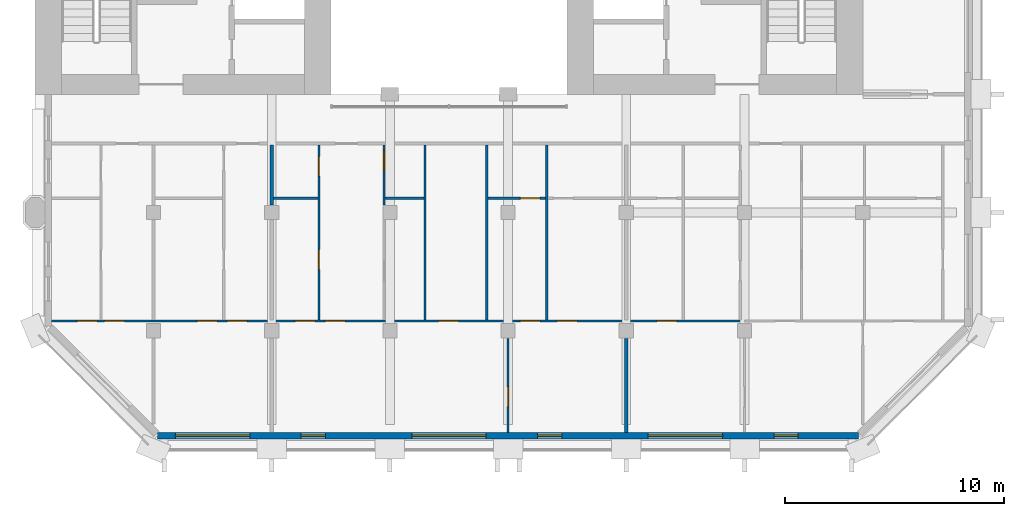
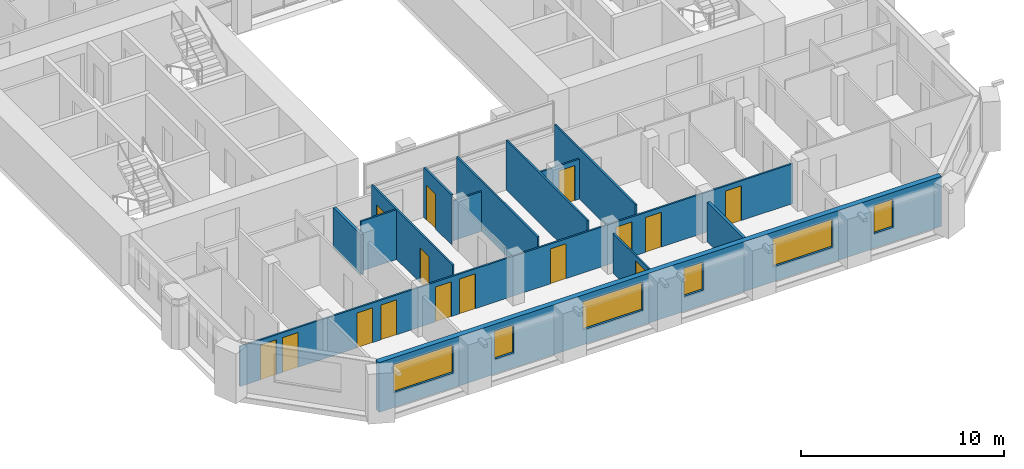
# One storey, part 6 of 14: 15 doors, 13 walls, 6 windows, 21 openings.
"""IFC4 building model written with IfcOpenShell, lengths in metres."""

from ifc_helpers import new_model, si_unit, direction, frame, frame_2d, origin, place, context, subcontext, project, spatial, rectangle, extrude, material, layer, layer_set, type_object, element, fill, save


model = new_model("IFC4")

# Units and contexts
model_context = context("Model", 3, precision=1e-05, world=origin(), true_north=direction((0.0, 1.0)))
body_context = subcontext(model_context, "Body", "Model", "MODEL_VIEW")
ifc_project = project(units=[si_unit("LENGTHUNIT", "METRE"), si_unit("AREAUNIT", "SQUARE_METRE"), si_unit("VOLUMEUNIT", "CUBIC_METRE"), si_unit("PLANEANGLEUNIT", "RADIAN"), si_unit("MASSUNIT", "GRAM", prefix="KILO")], contexts=[model_context])

# Site, building, storey
site_placement = place(None, origin())
site = spatial("IfcSite", under=ifc_project, at=site_placement, CompositionType="ELEMENT")
building_placement = place(site_placement, origin())
building = spatial("IfcBuilding", under=site, at=building_placement, Name="Tabaq Tower and Sports Hall", CompositionType="ELEMENT")
storey_placement = place(building_placement, frame((0.0, 0.0, 285.10009765625)))
storey = spatial("IfcBuildingStorey", under=building, at=storey_placement, Name="L70", CompositionType="ELEMENT", Elevation=285.10009765625)

# Wall, openings, doors
ifc_material_1 = material(Name="Gypsum board on steel studs", Category="steel")
ifc_layer_1 = layer(ifc_material_1, 0.10009765625)
ifc_layer_set_1 = layer_set([ifc_layer_1], Name="Partition 100 Gypsum board")
wall_type_1 = type_object("IfcWallType", Name="Partition 100 Gypsum board", PredefinedType="PARTITIONING", material=ifc_layer_set_1)
wall_1_placement = place(storey_placement, frame((37.652099609375, 5.85009765625, 0.0), z_axis=(0.0, 0.0, 1.0), x_axis=(-1.0, 0.0, 0.0)))
wall_1 = element("IfcWall", 1, at=wall_1_placement, inside=storey, type_object=wall_type_1, Name="Partition wall L70", PredefinedType="PARTITIONING", context=body_context, shape_type="SweptSolid", body=[
    extrude(rectangle(XDim=31.501220703125, YDim=0.10009765625, at=frame_2d((15.75048828125, 0.0))), origin(), (0.0, 0.0, 1.0), 2.39990234375),
])
opening_1_placement = place(wall_1_placement, frame((12.923095703125, 0.0, 0.0)))
opening_1 = element("IfcOpeningElement", 2, at=opening_1_placement, cuts=wall_1, Name="Opening L70-015", PredefinedType="OPENING", context=body_context, shape_type="SweptSolid", body=[
    extrude(rectangle(XDim=0.89990234375, YDim=2.10009765625, at=frame_2d((0.449951171875, 1.050048828125))), frame((0.0, 0.050048828125, 0.0), z_axis=(0.0, -1.0, 0.0), x_axis=(1.0, 0.0, 0.0)), (0.0, 0.0, 1.0), 0.10009765625),
])
opening_2_placement = place(wall_1_placement, frame((29.422119140625, 0.0, 0.0)))
opening_2 = element("IfcOpeningElement", 3, at=opening_2_placement, cuts=wall_1, Name="Opening L70-034", PredefinedType="OPENING", context=body_context, shape_type="SweptSolid", body=[
    extrude(rectangle(XDim=0.89990234375, YDim=2.10009765625, at=frame_2d((0.449951171875, 1.050048828125))), frame((0.0, 0.050048828125, 0.0), z_axis=(0.0, -1.0, 0.0), x_axis=(1.0, 0.0, 0.0)), (0.0, 0.0, 1.0), 0.10009765625),
])
opening_3_placement = place(wall_1_placement, frame((28.181884765625, 0.0, 0.0)))
opening_3 = element("IfcOpeningElement", 4, at=opening_3_placement, cuts=wall_1, Name="Opening L70-035", PredefinedType="OPENING", context=body_context, shape_type="SweptSolid", body=[
    extrude(rectangle(XDim=0.89990234375, YDim=2.10009765625, at=frame_2d((0.449951171875, 1.050048828125))), frame((0.0, 0.050048828125, 0.0), z_axis=(0.0, -1.0, 0.0), x_axis=(1.0, 0.0, 0.0)), (0.0, 0.0, 1.0), 0.10009765625),
])
opening_4_placement = place(wall_1_placement, frame((23.94189453125, 0.0, 0.0)))
opening_4 = element("IfcOpeningElement", 5, at=opening_4_placement, cuts=wall_1, Name="Opening L70-037", PredefinedType="OPENING", context=body_context, shape_type="SweptSolid", body=[
    extrude(rectangle(XDim=0.89990234375, YDim=2.10009765625, at=frame_2d((0.449951171875, 1.050048828125))), frame((0.0, 0.050048828125, 0.0), z_axis=(0.0, -1.0, 0.0), x_axis=(1.0, 0.0, 0.0)), (0.0, 0.0, 1.0), 0.10009765625),
])
opening_5_placement = place(wall_1_placement, frame((22.572021484375, 0.0, 0.0)))
opening_5 = element("IfcOpeningElement", 6, at=opening_5_placement, cuts=wall_1, Name="Opening L70-038", PredefinedType="OPENING", context=body_context, shape_type="SweptSolid", body=[
    extrude(rectangle(XDim=0.89990234375, YDim=2.10009765625, at=frame_2d((0.449951171875, 1.050048828125))), frame((0.0, 0.050048828125, 0.0), z_axis=(0.0, -1.0, 0.0), x_axis=(1.0, 0.0, 0.0)), (0.0, 0.0, 1.0), 0.10009765625),
])
opening_6_placement = place(wall_1_placement, frame((19.466064453125, 0.0, 0.0)))
opening_6 = element("IfcOpeningElement", 7, at=opening_6_placement, cuts=wall_1, Name="Opening L70-040", PredefinedType="OPENING", context=body_context, shape_type="SweptSolid", body=[
    extrude(rectangle(XDim=0.89990234375, YDim=2.10009765625, at=frame_2d((0.449951171875, 1.050048828125))), frame((0.0, 0.050048828125, 0.0), z_axis=(0.0, -1.0, 0.0), x_axis=(1.0, 0.0, 0.0)), (0.0, 0.0, 1.0), 0.10009765625),
])
opening_7_placement = place(wall_1_placement, frame((9.18994140625, 0.0, 0.0)))
opening_7 = element("IfcOpeningElement", 8, at=opening_7_placement, cuts=wall_1, Name="Opening L70-041", PredefinedType="OPENING", context=body_context, shape_type="SweptSolid", body=[
    extrude(rectangle(XDim=0.89990234375, YDim=2.10009765625, at=frame_2d((0.449951171875, 1.050048828125))), frame((0.0, 0.050048828125, 0.0), z_axis=(0.0, -1.0, 0.0), x_axis=(1.0, 0.0, 0.0)), (0.0, 0.0, 1.0), 0.10009765625),
])
opening_8_placement = place(wall_1_placement, frame((7.511962890625, 0.0, 0.0)))
opening_8 = element("IfcOpeningElement", 9, at=opening_8_placement, cuts=wall_1, Name="Opening L70-042", PredefinedType="OPENING", context=body_context, shape_type="SweptSolid", body=[
    extrude(rectangle(XDim=0.89990234375, YDim=2.10009765625, at=frame_2d((0.449951171875, 1.050048828125))), frame((0.0, 0.050048828125, 0.0), z_axis=(0.0, -1.0, 0.0), x_axis=(1.0, 0.0, 0.0)), (0.0, 0.0, 1.0), 0.10009765625),
])
opening_9_placement = place(wall_1_placement, frame((2.951904296875, 0.0, 0.0)))
opening_9 = element("IfcOpeningElement", 10, at=opening_9_placement, cuts=wall_1, Name="Opening L70-045", PredefinedType="OPENING", context=body_context, shape_type="SweptSolid", body=[
    extrude(rectangle(XDim=0.89990234375, YDim=2.10009765625, at=frame_2d((0.449951171875, 1.050048828125))), frame((0.0, 0.050048828125, 0.0), z_axis=(0.0, -1.0, 0.0), x_axis=(1.0, 0.0, 0.0)), (0.0, 0.0, 1.0), 0.10009765625),
])
opening_10_placement = place(wall_1_placement, frame((18.095947265625, 0.0, 0.0)))
opening_10 = element("IfcOpeningElement", 11, at=opening_10_placement, cuts=wall_1, Name="Opening L70-060", PredefinedType="OPENING", context=body_context, shape_type="SweptSolid", body=[
    extrude(rectangle(XDim=0.89990234375, YDim=2.10009765625, at=frame_2d((0.449951171875, 1.050048828125))), frame((0.0, 0.050048828125, 0.0), z_axis=(0.0, -1.0, 0.0), x_axis=(1.0, 0.0, 0.0)), (0.0, 0.0, 1.0), 0.10009765625),
])
ifc_material_2 = material(Name="Timber leaf in steel frame", Category="steel")
door_type_1 = type_object("IfcDoorType", Name="Internal door 900 left hand", OperationType="SINGLE_SWING_LEFT", PredefinedType="DOOR", material=ifc_material_2)
door_1_placement = place(opening_2_placement, origin())
door_1 = element("IfcDoor", 12, at=door_1_placement, inside=storey, type_object=door_type_1, Name="Internal door L70-034", OperationType="SINGLE_SWING_LEFT", OverallHeight=2.10009765625, OverallWidth=0.89990234375, PredefinedType="DOOR", context=body_context, shape_type="SweptSolid", body=[
    extrude(rectangle(XDim=0.89990234375, YDim=2.10009765625, at=frame_2d((0.449951171875, 1.050048828125))), frame((0.0, 0.02490234375, 0.0), z_axis=(0.0, -1.0, 0.0), x_axis=(1.0, 0.0, 0.0)), (0.0, 0.0, 1.0), 0.050048828125),
])
fill(opening_2, door_1)
door_2_placement = place(opening_4_placement, origin())
door_2 = element("IfcDoor", 13, at=door_2_placement, inside=storey, type_object=door_type_1, Name="Internal door L70-037", OperationType="SINGLE_SWING_LEFT", OverallHeight=2.10009765625, OverallWidth=0.89990234375, PredefinedType="DOOR", context=body_context, shape_type="SweptSolid", body=[
    extrude(rectangle(XDim=0.89990234375, YDim=2.10009765625, at=frame_2d((0.449951171875, 1.050048828125))), frame((0.0, 0.02490234375, 0.0), z_axis=(0.0, -1.0, 0.0), x_axis=(1.0, 0.0, 0.0)), (0.0, 0.0, 1.0), 0.050048828125),
])
fill(opening_4, door_2)
door_3_placement = place(opening_6_placement, origin())
door_3 = element("IfcDoor", 14, at=door_3_placement, inside=storey, type_object=door_type_1, Name="Internal door L70-040", OperationType="SINGLE_SWING_LEFT", OverallHeight=2.10009765625, OverallWidth=0.89990234375, PredefinedType="DOOR", context=body_context, shape_type="SweptSolid", body=[
    extrude(rectangle(XDim=0.89990234375, YDim=2.10009765625, at=frame_2d((0.449951171875, 1.050048828125))), frame((0.0, 0.02490234375, 0.0), z_axis=(0.0, -1.0, 0.0), x_axis=(1.0, 0.0, 0.0)), (0.0, 0.0, 1.0), 0.050048828125),
])
fill(opening_6, door_3)
door_4_placement = place(opening_7_placement, origin())
door_4 = element("IfcDoor", 15, at=door_4_placement, inside=storey, type_object=door_type_1, Name="Internal door L70-041", OperationType="SINGLE_SWING_LEFT", OverallHeight=2.10009765625, OverallWidth=0.89990234375, PredefinedType="DOOR", context=body_context, shape_type="SweptSolid", body=[
    extrude(rectangle(XDim=0.89990234375, YDim=2.10009765625, at=frame_2d((0.449951171875, 1.050048828125))), frame((0.0, 0.02490234375, 0.0), z_axis=(0.0, -1.0, 0.0), x_axis=(1.0, 0.0, 0.0)), (0.0, 0.0, 1.0), 0.050048828125),
])
fill(opening_7, door_4)
ifc_material_3 = material(Name="Timber leaf in steel frame", Category="steel")
door_type_2 = type_object("IfcDoorType", Name="Internal door 900 right hand", OperationType="SINGLE_SWING_RIGHT", PredefinedType="DOOR", material=ifc_material_3)
door_5_placement = place(opening_1_placement, origin())
door_5 = element("IfcDoor", 16, at=door_5_placement, inside=storey, type_object=door_type_2, Name="Internal door L70-015", OperationType="SINGLE_SWING_RIGHT", OverallHeight=2.10009765625, OverallWidth=0.89990234375, PredefinedType="DOOR", context=body_context, shape_type="SweptSolid", body=[
    extrude(rectangle(XDim=0.89990234375, YDim=2.10009765625, at=frame_2d((0.449951171875, 1.050048828125))), frame((0.0, 0.02490234375, 0.0), z_axis=(0.0, -1.0, 0.0), x_axis=(1.0, 0.0, 0.0)), (0.0, 0.0, 1.0), 0.050048828125),
])
fill(opening_1, door_5)
door_6_placement = place(opening_3_placement, origin())
door_6 = element("IfcDoor", 17, at=door_6_placement, inside=storey, type_object=door_type_2, Name="Internal door L70-035", OperationType="SINGLE_SWING_RIGHT", OverallHeight=2.10009765625, OverallWidth=0.89990234375, PredefinedType="DOOR", context=body_context, shape_type="SweptSolid", body=[
    extrude(rectangle(XDim=0.89990234375, YDim=2.10009765625, at=frame_2d((0.449951171875, 1.050048828125))), frame((0.0, 0.02490234375, 0.0), z_axis=(0.0, -1.0, 0.0), x_axis=(1.0, 0.0, 0.0)), (0.0, 0.0, 1.0), 0.050048828125),
])
fill(opening_3, door_6)
door_7_placement = place(opening_5_placement, origin())
door_7 = element("IfcDoor", 18, at=door_7_placement, inside=storey, type_object=door_type_2, Name="Internal door L70-038", OperationType="SINGLE_SWING_RIGHT", OverallHeight=2.10009765625, OverallWidth=0.89990234375, PredefinedType="DOOR", context=body_context, shape_type="SweptSolid", body=[
    extrude(rectangle(XDim=0.89990234375, YDim=2.10009765625, at=frame_2d((0.449951171875, 1.050048828125))), frame((0.0, 0.02490234375, 0.0), z_axis=(0.0, -1.0, 0.0), x_axis=(1.0, 0.0, 0.0)), (0.0, 0.0, 1.0), 0.050048828125),
])
fill(opening_5, door_7)
door_8_placement = place(opening_8_placement, origin())
door_8 = element("IfcDoor", 19, at=door_8_placement, inside=storey, type_object=door_type_2, Name="Internal door L70-042", OperationType="SINGLE_SWING_RIGHT", OverallHeight=2.10009765625, OverallWidth=0.89990234375, PredefinedType="DOOR", context=body_context, shape_type="SweptSolid", body=[
    extrude(rectangle(XDim=0.89990234375, YDim=2.10009765625, at=frame_2d((0.449951171875, 1.050048828125))), frame((0.0, 0.02490234375, 0.0), z_axis=(0.0, -1.0, 0.0), x_axis=(1.0, 0.0, 0.0)), (0.0, 0.0, 1.0), 0.050048828125),
])
fill(opening_8, door_8)
door_9_placement = place(opening_9_placement, origin())
door_9 = element("IfcDoor", 20, at=door_9_placement, inside=storey, type_object=door_type_2, Name="Internal door L70-045", OperationType="SINGLE_SWING_RIGHT", OverallHeight=2.10009765625, OverallWidth=0.89990234375, PredefinedType="DOOR", context=body_context, shape_type="SweptSolid", body=[
    extrude(rectangle(XDim=0.89990234375, YDim=2.10009765625, at=frame_2d((0.449951171875, 1.050048828125))), frame((0.0, 0.02490234375, 0.0), z_axis=(0.0, -1.0, 0.0), x_axis=(1.0, 0.0, 0.0)), (0.0, 0.0, 1.0), 0.050048828125),
])
fill(opening_9, door_9)
door_10_placement = place(opening_10_placement, origin())
door_10 = element("IfcDoor", 21, at=door_10_placement, inside=storey, type_object=door_type_2, Name="Internal door L70-060", OperationType="SINGLE_SWING_RIGHT", OverallHeight=2.10009765625, OverallWidth=0.89990234375, PredefinedType="DOOR", context=body_context, shape_type="SweptSolid", body=[
    extrude(rectangle(XDim=0.89990234375, YDim=2.10009765625, at=frame_2d((0.449951171875, 1.050048828125))), frame((0.0, 0.02490234375, 0.0), z_axis=(0.0, -1.0, 0.0), x_axis=(1.0, 0.0, 0.0)), (0.0, 0.0, 1.0), 0.050048828125),
])
fill(opening_10, door_10)

# Wall, opening, door
wall_2_placement = place(storey_placement, frame((27.0, 0.7509765625, 0.0), z_axis=(0.0, 0.0, 1.0), x_axis=(0.0, 1.0, 0.0)))
wall_2 = element("IfcWall", 22, at=wall_2_placement, inside=storey, type_object=wall_type_1, Name="Partition wall L70", PredefinedType="PARTITIONING", context=body_context, shape_type="SweptSolid", body=[
    extrude(rectangle(XDim=4.303955078125, YDim=0.10009765625, at=frame_2d((2.15185546875, 0.0))), origin(), (0.0, 0.0, 1.0), 2.39990234375),
])
opening_11_placement = place(wall_2_placement, frame((1.179931640625, 0.0, 0.0)))
opening_11 = element("IfcOpeningElement", 23, at=opening_11_placement, cuts=wall_2, Name="Opening L70-051", PredefinedType="OPENING", context=body_context, shape_type="SweptSolid", body=[
    extrude(rectangle(XDim=0.89990234375, YDim=2.10009765625, at=frame_2d((0.449951171875, 1.050048828125))), frame((0.0, 0.050048828125, 0.0), z_axis=(0.0, -1.0, 0.0), x_axis=(1.0, 0.0, 0.0)), (0.0, 0.0, 1.0), 0.10009765625),
])
door_11_placement = place(opening_11_placement, origin())
door_11 = element("IfcDoor", 24, at=door_11_placement, inside=storey, type_object=door_type_2, Name="Internal door L70-051", OperationType="SINGLE_SWING_RIGHT", OverallHeight=2.10009765625, OverallWidth=0.89990234375, PredefinedType="DOOR", context=body_context, shape_type="SweptSolid", body=[
    extrude(rectangle(XDim=0.89990234375, YDim=2.10009765625, at=frame_2d((0.449951171875, 1.050048828125))), frame((0.0, 0.02490234375, 0.0), z_axis=(0.0, -1.0, 0.0), x_axis=(1.0, 0.0, 0.0)), (0.0, 0.0, 1.0), 0.050048828125),
])
fill(opening_11, door_11)

# Wall
wall_3_placement = place(storey_placement, frame((18.305908203125, 11.449951171875, 0.0), z_axis=(0.0, 0.0, 1.0), x_axis=(-1.0, 0.0, 0.0)))
element("IfcWall", 25, at=wall_3_placement, inside=storey, type_object=wall_type_1, Name="Partition wall L70", PredefinedType="PARTITIONING", context=body_context, shape_type="SweptSolid", body=[
    extrude(rectangle(XDim=2.031005859375, YDim=0.10009765625, at=frame_2d((1.015625, 0.0))), origin(), (0.0, 0.0, 1.0), 3.0),
])

# Wall, openings, doors
wall_4_placement = place(storey_placement, frame((18.35595703125, 5.89990234375, 0.0), z_axis=(0.0, 0.0, 1.0), x_axis=(0.0, 1.0, 0.0)))
wall_4 = element("IfcWall", 26, at=wall_4_placement, inside=storey, type_object=wall_type_1, Name="Partition wall L70", PredefinedType="PARTITIONING", context=body_context, shape_type="SweptSolid", body=[
    extrude(rectangle(XDim=7.97509765625, YDim=0.10009765625, at=frame_2d((3.987548828125, 0.0))), origin(), (0.0, 0.0, 1.0), 3.0),
])
opening_12_placement = place(wall_4_placement, frame((6.55810546875, 0.0, 0.0)))
opening_12 = element("IfcOpeningElement", 27, at=opening_12_placement, cuts=wall_4, Name="Opening L70-016", PredefinedType="OPENING", context=body_context, shape_type="SweptSolid", body=[
    extrude(rectangle(XDim=0.89990234375, YDim=2.10009765625, at=frame_2d((0.449951171875, 1.050048828125))), frame((0.0, 0.050048828125, 0.0), z_axis=(0.0, -1.0, 0.0), x_axis=(1.0, 0.0, 0.0)), (0.0, 0.0, 1.0), 0.10009765625),
])
opening_13_placement = place(wall_4_placement, frame((2.300048828125, 0.0, 0.0)))
opening_13 = element("IfcOpeningElement", 28, at=opening_13_placement, cuts=wall_4, Name="Opening L70-043", PredefinedType="OPENING", context=body_context, shape_type="SweptSolid", body=[
    extrude(rectangle(XDim=0.89990234375, YDim=2.10009765625, at=frame_2d((0.449951171875, 1.050048828125))), frame((0.0, 0.050048828125, 0.0), z_axis=(0.0, -1.0, 0.0), x_axis=(1.0, 0.0, 0.0)), (0.0, 0.0, 1.0), 0.10009765625),
])
door_12_placement = place(opening_12_placement, origin())
door_12 = element("IfcDoor", 29, at=door_12_placement, inside=storey, type_object=door_type_1, Name="Internal door L70-016", OperationType="SINGLE_SWING_LEFT", OverallHeight=2.10009765625, OverallWidth=0.89990234375, PredefinedType="DOOR", context=body_context, shape_type="SweptSolid", body=[
    extrude(rectangle(XDim=0.89990234375, YDim=2.10009765625, at=frame_2d((0.449951171875, 1.050048828125))), frame((0.0, 0.02490234375, 0.0), z_axis=(0.0, -1.0, 0.0), x_axis=(1.0, 0.0, 0.0)), (0.0, 0.0, 1.0), 0.050048828125),
])
fill(opening_12, door_12)
door_13_placement = place(opening_13_placement, origin())
door_13 = element("IfcDoor", 30, at=door_13_placement, inside=storey, type_object=door_type_2, Name="Internal door L70-043", OperationType="SINGLE_SWING_RIGHT", OverallHeight=2.10009765625, OverallWidth=0.89990234375, PredefinedType="DOOR", context=body_context, shape_type="SweptSolid", body=[
    extrude(rectangle(XDim=0.89990234375, YDim=2.10009765625, at=frame_2d((0.449951171875, 1.050048828125))), frame((0.0, 0.02490234375, 0.0), z_axis=(0.0, -1.0, 0.0), x_axis=(1.0, 0.0, 0.0)), (0.0, 0.0, 1.0), 0.050048828125),
])
fill(opening_13, door_13)

# Wall, opening, door
wall_5_placement = place(storey_placement, frame((21.3310546875, 11.14501953125, 0.0), z_axis=(0.0, 0.0, 1.0), x_axis=(0.0, 1.0, 0.0)))
wall_5 = element("IfcWall", 31, at=wall_5_placement, inside=storey, type_object=wall_type_1, Name="Partition wall L70", PredefinedType="PARTITIONING", context=body_context, shape_type="SweptSolid", body=[
    extrude(rectangle(XDim=2.72998046875, YDim=0.10009765625, at=frame_2d((1.364990234375, 0.0))), origin(), (0.0, 0.0, 1.0), 3.0),
])
opening_14_placement = place(wall_5_placement, frame((1.580078125, 0.0, 0.0)))
opening_14 = element("IfcOpeningElement", 32, at=opening_14_placement, cuts=wall_5, Name="Opening L70-018", PredefinedType="OPENING", context=body_context, shape_type="SweptSolid", body=[
    extrude(rectangle(XDim=0.89990234375, YDim=2.10009765625, at=frame_2d((0.449951171875, 1.050048828125))), frame((0.0, 0.050048828125, 0.0), z_axis=(0.0, -1.0, 0.0), x_axis=(1.0, 0.0, 0.0)), (0.0, 0.0, 1.0), 0.10009765625),
])
door_14_placement = place(opening_14_placement, origin())
door_14 = element("IfcDoor", 33, at=door_14_placement, inside=storey, type_object=door_type_2, Name="Internal door L70-018", OperationType="SINGLE_SWING_RIGHT", OverallHeight=2.10009765625, OverallWidth=0.89990234375, PredefinedType="DOOR", context=body_context, shape_type="SweptSolid", body=[
    extrude(rectangle(XDim=0.89990234375, YDim=2.10009765625, at=frame_2d((0.449951171875, 1.050048828125))), frame((0.0, 0.02490234375, 0.0), z_axis=(0.0, -1.0, 0.0), x_axis=(1.0, 0.0, 0.0)), (0.0, 0.0, 1.0), 0.050048828125),
])
fill(opening_14, door_14)

# Walls
wall_6_placement = place(storey_placement, frame((23.14697265625, 11.449951171875, 0.0), z_axis=(0.0, 0.0, 1.0), x_axis=(-1.0, 0.0, 0.0)))
element("IfcWall", 34, at=wall_6_placement, inside=storey, type_object=wall_type_1, Name="Partition wall L70", PredefinedType="PARTITIONING", context=body_context, shape_type="SweptSolid", body=[
    extrude(rectangle(XDim=1.765869140625, YDim=0.10009765625, at=frame_2d((0.8828125, 0.0))), origin(), (0.0, 0.0, 1.0), 2.39990234375),
])
for number, where, z_axis, x_axis, name in (
    (35, (23.197021484375, 5.89990234375, 0.0), (0.0, 0.0, 1.0), (0.0, 1.0, 0.0), "Partition wall L70"),
    (36, (26.027099609375, 5.89990234375, 0.0), (0.0, 0.0, 1.0), (0.0, 1.0, 0.0), "Partition wall L70"),
):
    element("IfcWall", number, at=place(storey_placement, frame(where, z_axis=z_axis, x_axis=x_axis)), inside=storey, type_object=wall_type_1, Name=name, PredefinedType="PARTITIONING", context=body_context, shape_type="SweptSolid", body=[
        extrude(rectangle(XDim=7.97509765625, YDim=0.10009765625, at=frame_2d((3.987548828125, 0.0))), origin(), (0.0, 0.0, 1.0), 3.0),
    ])

# Wall, opening, door
wall_7_placement = place(storey_placement, frame((28.7119140625, 11.449951171875, 0.0), z_axis=(0.0, 0.0, 1.0), x_axis=(-1.0, 0.0, 0.0)))
wall_7 = element("IfcWall", 37, at=wall_7_placement, inside=storey, type_object=wall_type_1, Name="Partition wall L70", PredefinedType="PARTITIONING", context=body_context, shape_type="SweptSolid", body=[
    extrude(rectangle(XDim=2.635009765625, YDim=0.10009765625, at=frame_2d((1.3173828125, 0.0))), origin(), (0.0, 0.0, 1.0), 2.39990234375),
])
opening_15_placement = place(wall_7_placement, frame((0.25, 0.0, 0.0)))
opening_15 = element("IfcOpeningElement", 38, at=opening_15_placement, cuts=wall_7, Name="Opening L70-019", PredefinedType="OPENING", context=body_context, shape_type="SweptSolid", body=[
    extrude(rectangle(XDim=0.89990234375, YDim=2.10009765625, at=frame_2d((0.449951171875, 1.050048828125))), frame((0.0, 0.050048828125, 0.0), z_axis=(0.0, -1.0, 0.0), x_axis=(1.0, 0.0, 0.0)), (0.0, 0.0, 1.0), 0.10009765625),
])
door_15_placement = place(opening_15_placement, origin())
door_15 = element("IfcDoor", 39, at=door_15_placement, inside=storey, type_object=door_type_1, Name="Internal door L70-019", OperationType="SINGLE_SWING_LEFT", OverallHeight=2.10009765625, OverallWidth=0.89990234375, PredefinedType="DOOR", context=body_context, shape_type="SweptSolid", body=[
    extrude(rectangle(XDim=0.89990234375, YDim=2.10009765625, at=frame_2d((0.449951171875, 1.050048828125))), frame((0.0, 0.02490234375, 0.0), z_axis=(0.0, -1.0, 0.0), x_axis=(1.0, 0.0, 0.0)), (0.0, 0.0, 1.0), 0.050048828125),
])
fill(opening_15, door_15)

# Walls
wall_8_placement = place(storey_placement, frame((28.761962890625, 5.89990234375, 0.0), z_axis=(0.0, 0.0, 1.0), x_axis=(0.0, 1.0, 0.0)))
element("IfcWall", 40, at=wall_8_placement, inside=storey, type_object=wall_type_1, Name="Partition wall L70", PredefinedType="PARTITIONING", context=body_context, shape_type="SweptSolid", body=[
    extrude(rectangle(XDim=7.97509765625, YDim=0.10009765625, at=frame_2d((3.987548828125, 0.0))), origin(), (0.0, 0.0, 1.0), 3.0),
])
ifc_material_4 = material(Name="Blockwork", Category="masonry")
ifc_layer_2 = layer(ifc_material_4, 0.14990234375)
ifc_layer_set_2 = layer_set([ifc_layer_2], Name="Separating wall 150 Blockwork")
wall_type_2 = type_object("IfcWallType", Name="Separating wall 150 Blockwork", PredefinedType="PARTITIONING", material=ifc_layer_set_2)
wall_9_placement = place(storey_placement, frame((16.199951171875, 11.14501953125, 0.0), z_axis=(0.0, 0.0, 1.0), x_axis=(0.0, 1.0, 0.0)))
element("IfcWall", 41, at=wall_9_placement, inside=storey, type_object=wall_type_2, Name="Separating wall L70", PredefinedType="PARTITIONING", context=body_context, shape_type="SweptSolid", body=[
    extrude(rectangle(XDim=2.72998046875, YDim=0.14990234375, at=frame_2d((1.364990234375, 0.0))), origin(), (0.0, 0.0, 1.0), 2.39990234375),
])
wall_10_placement = place(storey_placement, frame((32.39990234375, 0.7509765625, 0.0), z_axis=(0.0, 0.0, 1.0), x_axis=(0.0, 1.0, 0.0)))
element("IfcWall", 42, at=wall_10_placement, inside=storey, type_object=wall_type_2, Name="Separating wall L70", PredefinedType="PARTITIONING", context=body_context, shape_type="SweptSolid", body=[
    extrude(rectangle(XDim=4.303955078125, YDim=0.14990234375, at=frame_2d((2.15185546875, 0.0))), origin(), (0.0, 0.0, 1.0), 2.39990234375),
])

# Wall, openings, windows
ifc_material_5 = material(Name="White precast concrete C60/75", Category="concrete")
ifc_layer_3 = layer(ifc_material_5, 0.300048828125)
ifc_layer_set_3 = layer_set([ifc_layer_3], Name="White precast concrete C60/75 external wall 300")
wall_type_3 = type_object("IfcWallType", Name="White precast concrete C60/75 external wall 300", PredefinedType="SOLIDWALL", material=ifc_layer_set_3)
wall_11_placement = place(storey_placement, frame((10.986328125, 0.60009765625, 0.0), z_axis=(0.0, 0.0, 1.0), x_axis=(1.0, 0.0, 0.0)))
wall_11 = element("IfcWall", 43, at=wall_11_placement, inside=storey, type_object=wall_type_3, Name="External Wall L70 S", PredefinedType="SOLIDWALL", context=body_context, shape_type="SweptSolid", body=[
    extrude(rectangle(XDim=32.02734375, YDim=0.300048828125, at=frame_2d((16.013671875, 0.0))), origin(), (0.0, 0.0, 1.0), 3.0),
])
opening_16_placement = place(wall_11_placement, frame((0.813720703125, 0.0, 0.89990234375)))
opening_16 = element("IfcOpeningElement", 44, at=opening_16_placement, cuts=wall_11, Name="Opening W1A", PredefinedType="OPENING", context=body_context, shape_type="SweptSolid", body=[
    extrude(rectangle(XDim=3.39990234375, YDim=1.699951171875, at=frame_2d((1.699951171875, 0.85009765625))), frame((0.0, 0.16015625, 0.0), z_axis=(0.0, -1.0, 0.0), x_axis=(1.0, 0.0, 0.0)), (0.0, 0.0, 1.0), 0.320068359375),
])
opening_17_placement = place(wall_11_placement, frame((6.563720703125, 0.0, 0.89990234375)))
opening_17 = element("IfcOpeningElement", 45, at=opening_17_placement, cuts=wall_11, Name="Opening W1B", PredefinedType="OPENING", context=body_context, shape_type="SweptSolid", body=[
    extrude(rectangle(XDim=1.10009765625, YDim=1.699951171875, at=frame_2d((0.550048828125, 0.85009765625))), frame((0.0, 0.16015625, 0.0), z_axis=(0.0, -1.0, 0.0), x_axis=(1.0, 0.0, 0.0)), (0.0, 0.0, 1.0), 0.320068359375),
])
opening_18_placement = place(wall_11_placement, frame((11.613525390625, 0.0, 0.89990234375)))
opening_18 = element("IfcOpeningElement", 46, at=opening_18_placement, cuts=wall_11, Name="Opening W1A", PredefinedType="OPENING", context=body_context, shape_type="SweptSolid", body=[
    extrude(rectangle(XDim=3.39990234375, YDim=1.699951171875, at=frame_2d((1.699951171875, 0.85009765625))), frame((0.0, 0.16015625, 0.0), z_axis=(0.0, -1.0, 0.0), x_axis=(1.0, 0.0, 0.0)), (0.0, 0.0, 1.0), 0.320068359375),
])
opening_19_placement = place(wall_11_placement, frame((17.363525390625, 0.0, 0.89990234375)))
opening_19 = element("IfcOpeningElement", 47, at=opening_19_placement, cuts=wall_11, Name="Opening W1B", PredefinedType="OPENING", context=body_context, shape_type="SweptSolid", body=[
    extrude(rectangle(XDim=1.10009765625, YDim=1.699951171875, at=frame_2d((0.550048828125, 0.85009765625))), frame((0.0, 0.16015625, 0.0), z_axis=(0.0, -1.0, 0.0), x_axis=(1.0, 0.0, 0.0)), (0.0, 0.0, 1.0), 0.320068359375),
])
opening_20_placement = place(wall_11_placement, frame((22.41357421875, 0.0, 0.89990234375)))
opening_20 = element("IfcOpeningElement", 48, at=opening_20_placement, cuts=wall_11, Name="Opening W1A", PredefinedType="OPENING", context=body_context, shape_type="SweptSolid", body=[
    extrude(rectangle(XDim=3.39990234375, YDim=1.699951171875, at=frame_2d((1.699951171875, 0.85009765625))), frame((0.0, 0.16015625, 0.0), z_axis=(0.0, -1.0, 0.0), x_axis=(1.0, 0.0, 0.0)), (0.0, 0.0, 1.0), 0.320068359375),
])
opening_21_placement = place(wall_11_placement, frame((28.16357421875, 0.0, 0.89990234375)))
opening_21 = element("IfcOpeningElement", 49, at=opening_21_placement, cuts=wall_11, Name="Opening W1B", PredefinedType="OPENING", context=body_context, shape_type="SweptSolid", body=[
    extrude(rectangle(XDim=1.10009765625, YDim=1.699951171875, at=frame_2d((0.550048828125, 0.85009765625))), frame((0.0, 0.16015625, 0.0), z_axis=(0.0, -1.0, 0.0), x_axis=(1.0, 0.0, 0.0)), (0.0, 0.0, 1.0), 0.320068359375),
])
ifc_material_6 = material(Name="Aluminium framed clear glazing", Category="aluminium")
window_type_1 = type_object("IfcWindowType", Name="Window W1A", PartitioningType="SINGLE_PANEL", PredefinedType="WINDOW", material=ifc_material_6)
window_1_placement = place(opening_16_placement, origin())
window_1 = element("IfcWindow", 50, at=window_1_placement, inside=storey, type_object=window_type_1, Name="Window W1A L70", OverallHeight=1.699951171875, OverallWidth=3.39990234375, PartitioningType="SINGLE_PANEL", PredefinedType="WINDOW", context=body_context, shape_type="SweptSolid", body=[
    extrude(rectangle(XDim=3.39990234375, YDim=1.699951171875, at=frame_2d((1.699951171875, 0.85009765625))), frame((0.0, 0.030029296875, 0.0), z_axis=(0.0, -1.0, 0.0), x_axis=(1.0, 0.0, 0.0)), (0.0, 0.0, 1.0), 0.06005859375),
])
fill(opening_16, window_1)
window_2_placement = place(opening_18_placement, origin())
window_2 = element("IfcWindow", 51, at=window_2_placement, inside=storey, type_object=window_type_1, Name="Window W1A L70", OverallHeight=1.699951171875, OverallWidth=3.39990234375, PartitioningType="SINGLE_PANEL", PredefinedType="WINDOW", context=body_context, shape_type="SweptSolid", body=[
    extrude(rectangle(XDim=3.39990234375, YDim=1.699951171875, at=frame_2d((1.699951171875, 0.85009765625))), frame((0.0, 0.030029296875, 0.0), z_axis=(0.0, -1.0, 0.0), x_axis=(1.0, 0.0, 0.0)), (0.0, 0.0, 1.0), 0.06005859375),
])
fill(opening_18, window_2)
window_3_placement = place(opening_20_placement, origin())
window_3 = element("IfcWindow", 52, at=window_3_placement, inside=storey, type_object=window_type_1, Name="Window W1A L70", OverallHeight=1.699951171875, OverallWidth=3.39990234375, PartitioningType="SINGLE_PANEL", PredefinedType="WINDOW", context=body_context, shape_type="SweptSolid", body=[
    extrude(rectangle(XDim=3.39990234375, YDim=1.699951171875, at=frame_2d((1.699951171875, 0.85009765625))), frame((0.0, 0.030029296875, 0.0), z_axis=(0.0, -1.0, 0.0), x_axis=(1.0, 0.0, 0.0)), (0.0, 0.0, 1.0), 0.06005859375),
])
fill(opening_20, window_3)
ifc_material_7 = material(Name="Aluminium framed clear glazing", Category="aluminium")
window_type_2 = type_object("IfcWindowType", Name="Window W1B", PartitioningType="SINGLE_PANEL", PredefinedType="WINDOW", material=ifc_material_7)
window_4_placement = place(opening_17_placement, origin())
window_4 = element("IfcWindow", 53, at=window_4_placement, inside=storey, type_object=window_type_2, Name="Window W1B L70", OverallHeight=1.699951171875, OverallWidth=1.10009765625, PartitioningType="SINGLE_PANEL", PredefinedType="WINDOW", context=body_context, shape_type="SweptSolid", body=[
    extrude(rectangle(XDim=1.10009765625, YDim=1.699951171875, at=frame_2d((0.550048828125, 0.85009765625))), frame((0.0, 0.030029296875, 0.0), z_axis=(0.0, -1.0, 0.0), x_axis=(1.0, 0.0, 0.0)), (0.0, 0.0, 1.0), 0.06005859375),
])
fill(opening_17, window_4)
window_5_placement = place(opening_19_placement, origin())
window_5 = element("IfcWindow", 54, at=window_5_placement, inside=storey, type_object=window_type_2, Name="Window W1B L70", OverallHeight=1.699951171875, OverallWidth=1.10009765625, PartitioningType="SINGLE_PANEL", PredefinedType="WINDOW", context=body_context, shape_type="SweptSolid", body=[
    extrude(rectangle(XDim=1.10009765625, YDim=1.699951171875, at=frame_2d((0.550048828125, 0.85009765625))), frame((0.0, 0.030029296875, 0.0), z_axis=(0.0, -1.0, 0.0), x_axis=(1.0, 0.0, 0.0)), (0.0, 0.0, 1.0), 0.06005859375),
])
fill(opening_19, window_5)
window_6_placement = place(opening_21_placement, origin())
window_6 = element("IfcWindow", 55, at=window_6_placement, inside=storey, type_object=window_type_2, Name="Window W1B L70", OverallHeight=1.699951171875, OverallWidth=1.10009765625, PartitioningType="SINGLE_PANEL", PredefinedType="WINDOW", context=body_context, shape_type="SweptSolid", body=[
    extrude(rectangle(XDim=1.10009765625, YDim=1.699951171875, at=frame_2d((0.550048828125, 0.85009765625))), frame((0.0, 0.030029296875, 0.0), z_axis=(0.0, -1.0, 0.0), x_axis=(1.0, 0.0, 0.0)), (0.0, 0.0, 1.0), 0.06005859375),
])
fill(opening_21, window_6)

save(model, "model.ifc")
